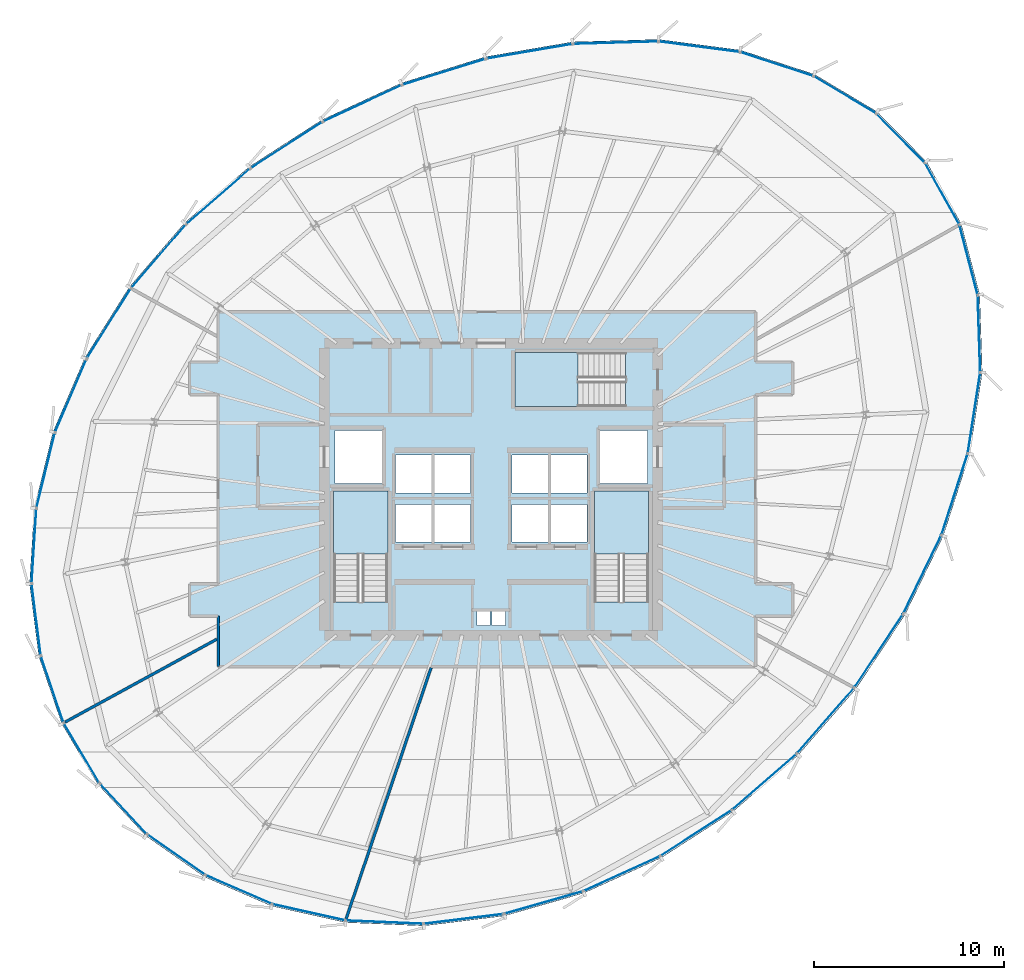
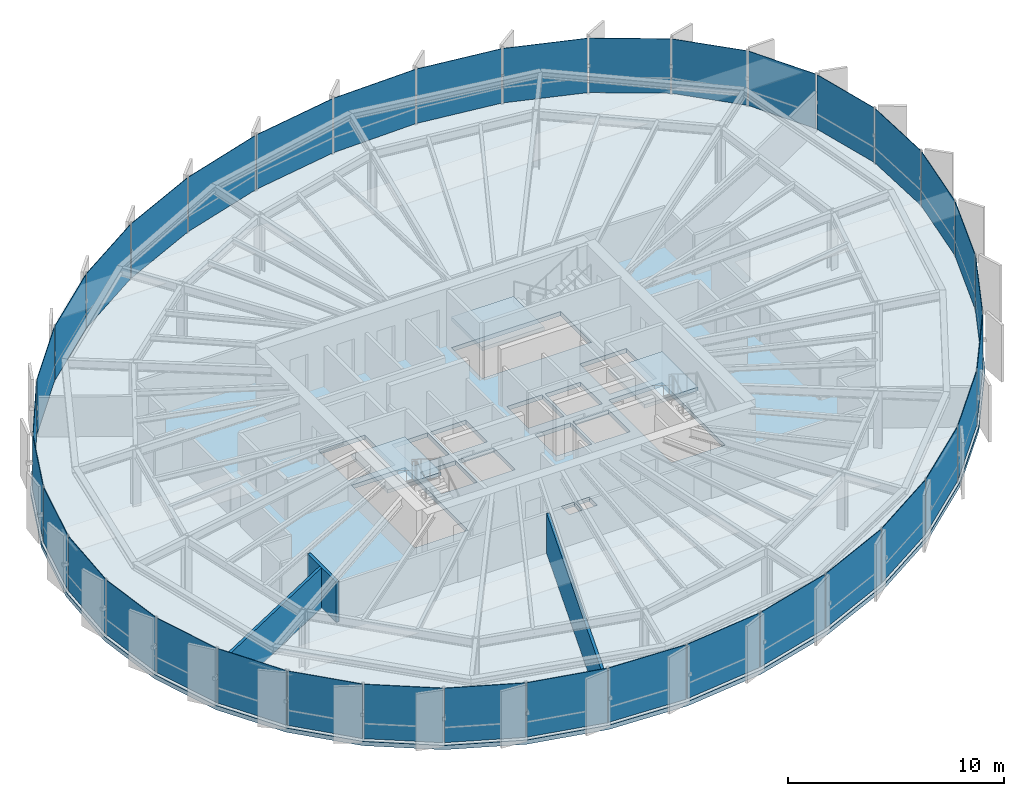
# One storey, part 28 of 34: 36 plates, 4 slabs, 3 walls, 9 elements without a shape of their own.
"""IFC4 building model written with IfcOpenShell, lengths in metres."""

from ifc_helpers import new_model, si_unit, direction, frame, frame_2d, origin, origin_2d, place, context, subcontext, project, spatial, polyline, rectangle, outline, extrude, source, transform, mapped, material, layer, layer_set, type_object, element, aggregate, save


model = new_model("IFC4")

# Units and contexts
model_context = context("Model", 3, precision=1e-05, world=origin(), true_north=direction((0.0, 1.0)))
body_context = subcontext(model_context, "Body", "Model", "MODEL_VIEW")
ifc_project = project(units=[si_unit("LENGTHUNIT", "METRE"), si_unit("AREAUNIT", "SQUARE_METRE"), si_unit("VOLUMEUNIT", "CUBIC_METRE"), si_unit("PLANEANGLEUNIT", "RADIAN"), si_unit("MASSUNIT", "GRAM", prefix="KILO"), si_unit("THERMODYNAMICTEMPERATUREUNIT", "KELVIN")], contexts=[model_context])

# Site, building, storey
site_placement = place(None, origin())
site = spatial("IfcSite", under=ifc_project, at=site_placement, CompositionType="ELEMENT")
building_placement = place(site_placement, origin())
building = spatial("IfcBuilding", under=site, at=building_placement, Name="Kethvar Cultural Tower", CompositionType="ELEMENT")
storey_placement = place(building_placement, frame((0.0, 0.0, 183.39990234375)))
storey = spatial("IfcBuildingStorey", under=building, at=storey_placement, Name="L47", CompositionType="ELEMENT", Elevation=183.39990234375)

# Stair, slab
ifc_material_1 = material(Name="Concrete C40/50", Category="concrete")
stair_type = type_object("IfcStairType", Name="ST-DOGLEG-135", PredefinedType="HALF_TURN_STAIR", material=ifc_material_1)
stair_1_placement = place(storey_placement, origin())
stair_1 = element("IfcStair", 1, at=stair_1_placement, inside=storey, type_object=stair_type, Name="L47 Core Exit Stair 1", PredefinedType="HALF_TURN_STAIR")
ifc_layer_1 = layer(ifc_material_1, 0.199951171875, Name="Concrete C40/50", Category="concrete")
ifc_layer_set_1 = layer_set([ifc_layer_1], Name="Concrete C40/50 (200 mm)")
slab_type_1 = type_object("IfcSlabType", Name="SL-STAIR-LANDING-200", PredefinedType="LANDING", material=ifc_layer_set_1)
slab_1_placement = place(storey_placement, frame((0.0, 0.0, 1.550048828125)))
slab_1 = element("IfcSlab", 2, at=slab_1_placement, type_object=slab_type_1, Name="ST-01 landing 1", PredefinedType="LANDING", context=body_context, shape_type="SweptSolid", body=[
    extrude(outline(polyline([(41.35009765625, 24.3701171875), (41.35009765625, 27.699951171875), (38.489990234375, 27.699951171875), (38.489990234375, 24.3701171875), (41.35009765625, 24.3701171875)])), origin(), (0.0, 0.0, 1.0), 0.199951171875),
])
aggregate(stair_1, [slab_1])

stair_2_placement = place(storey_placement, origin())
stair_2 = element("IfcStair", 3, at=stair_2_placement, inside=storey, type_object=stair_type, Name="L47 Core Exit Stair 2", PredefinedType="HALF_TURN_STAIR")
slab_2_placement = place(storey_placement, frame((0.0, 0.0, 1.550048828125)))
slab_2 = element("IfcSlab", 4, at=slab_2_placement, type_object=slab_type_1, Name="ST-02 landing 1", PredefinedType="LANDING", context=body_context, shape_type="SweptSolid", body=[
    extrude(outline(polyline([(55.110107421875, 24.3701171875), (55.110107421875, 27.699951171875), (52.25, 27.699951171875), (52.25, 24.3701171875), (55.110107421875, 24.3701171875)])), origin(), (0.0, 0.0, 1.0), 0.199951171875),
])
aggregate(stair_2, [slab_2])

stair_3_placement = place(storey_placement, origin())
stair_3 = element("IfcStair", 5, at=stair_3_placement, inside=storey, type_object=stair_type, Name="L47 Core Exit Stair 3", PredefinedType="HALF_TURN_STAIR")
slab_3_placement = place(storey_placement, frame((0.0, 0.0, 1.550048828125)))
slab_3 = element("IfcSlab", 6, at=slab_3_placement, type_object=slab_type_1, Name="ST-03 landing 1", PredefinedType="LANDING", context=body_context, shape_type="SweptSolid", body=[
    extrude(outline(polyline([(51.3798828125, 35.010009765625), (48.050048828125, 35.010009765625), (48.050048828125, 32.14990234375), (51.3798828125, 32.14990234375), (51.3798828125, 35.010009765625)])), origin(), (0.0, 0.0, 1.0), 0.199951171875),
])
aggregate(stair_3, [slab_3])

# Slab
ifc_layer_2 = layer(ifc_material_1, 0.239990234375, Name="Concrete C40/50", Category="concrete")
ifc_layer_set_2 = layer_set([ifc_layer_2], Name="Concrete C40/50 (240 mm)")
slab_type_2 = type_object("IfcSlabType", Name="SL-TOW-240", PredefinedType="FLOOR", material=ifc_layer_set_2)
slab_4_placement = place(storey_placement, frame((0.0, 0.0, -0.239990234375)))
element("IfcSlab", 7, at=slab_4_placement, inside=storey, type_object=slab_type_2, Name="L47 Structural Floor Slab", PredefinedType="FLOOR", context=body_context, shape_type="SweptSolid", body=[
    extrude(outline(polyline([(69.792724609375, 45.0634765625), (67.17529296875, 47.718017578125), (63.849853515625, 49.70068359375), (59.948974609375, 50.974853515625), (55.63720703125, 51.5361328125), (51.096435546875, 51.406005859375), (46.510009765625, 50.622314453125), (42.047607421875, 49.231689453125), (37.85205078125, 47.281982421875), (34.02587890625, 44.8134765625), (30.6162109375, 41.84912109375), (27.6982421875, 38.4580078125), (25.360595703125, 34.742919921875), (23.67431640625, 30.81689453125), (22.69091796875, 26.79931640625), (22.439697265625, 22.81201171875), (22.928955078125, 18.976318359375), (24.143310546875, 15.40869140625), (26.04638671875, 12.2177734375), (28.579833984375, 9.5), (31.666748046875, 7.33837890625), (35.2138671875, 5.798583984375), (39.11279296875, 4.92724609375), (43.2451171875, 4.7509765625), (47.48583984375, 5.27490234375), (51.705322265625, 6.483154296875), (55.776123046875, 8.33935546875), (59.573974609375, 10.78662109375), (63.011962890625, 13.772216796875), (66.054931640625, 17.257080078125), (68.63525390625, 21.154296875), (70.66748046875, 25.340087890625), (72.059326171875, 29.664306640625), (72.72314453125, 33.96142578125), (72.587646484375, 38.062744140625), (71.611572265625, 41.809326171875), (69.792724609375, 45.0634765625)]), holes=[polyline([(38.489990234375, 21.85009765625), (38.489990234375, 27.699951171875), (41.35009765625, 27.699951171875), (41.35009765625, 21.85009765625), (38.489990234375, 21.85009765625)]), polyline([(52.25, 21.85009765625), (52.25, 27.699951171875), (55.110107421875, 27.699951171875), (55.110107421875, 21.85009765625), (52.25, 21.85009765625)]), polyline([(53.89990234375, 32.14990234375), (48.050048828125, 32.14990234375), (48.050048828125, 35.010009765625), (53.89990234375, 35.010009765625), (53.89990234375, 32.14990234375)]), polyline([(41.75, 27.0), (43.64990234375, 27.0), (43.64990234375, 25.0), (41.75, 25.0), (41.75, 27.0)]), polyline([(43.800048828125, 27.0), (45.699951171875, 27.0), (45.699951171875, 25.0), (43.800048828125, 25.0), (43.800048828125, 27.0)]), polyline([(47.89990234375, 27.0), (49.800048828125, 27.0), (49.800048828125, 25.0), (47.89990234375, 25.0), (47.89990234375, 27.0)]), polyline([(49.949951171875, 27.0), (51.85009765625, 27.0), (51.85009765625, 25.0), (49.949951171875, 25.0), (49.949951171875, 27.0)]), polyline([(41.75, 29.60009765625), (43.64990234375, 29.60009765625), (43.64990234375, 27.60009765625), (41.75, 27.60009765625), (41.75, 29.60009765625)]), polyline([(43.800048828125, 29.60009765625), (45.699951171875, 29.60009765625), (45.699951171875, 27.60009765625), (43.800048828125, 27.60009765625), (43.800048828125, 29.60009765625)]), polyline([(47.89990234375, 29.60009765625), (49.800048828125, 29.60009765625), (49.800048828125, 27.60009765625), (47.89990234375, 27.60009765625), (47.89990234375, 29.60009765625)]), polyline([(49.949951171875, 29.60009765625), (51.85009765625, 29.60009765625), (51.85009765625, 27.60009765625), (49.949951171875, 27.60009765625), (49.949951171875, 29.60009765625)]), polyline([(38.550048828125, 30.89990234375), (41.050048828125, 30.89990234375), (41.050048828125, 28.10009765625), (38.550048828125, 28.10009765625), (38.550048828125, 30.89990234375)]), polyline([(52.550048828125, 30.89990234375), (55.050048828125, 30.89990234375), (55.050048828125, 28.10009765625), (52.550048828125, 28.10009765625), (52.550048828125, 30.89990234375)]), polyline([(46.050048828125, 21.35009765625), (46.75, 21.35009765625), (46.75, 20.60009765625), (46.050048828125, 20.60009765625), (46.050048828125, 21.35009765625)]), polyline([(46.85009765625, 21.35009765625), (47.550048828125, 21.35009765625), (47.550048828125, 20.60009765625), (46.85009765625, 20.60009765625), (46.85009765625, 21.35009765625)])]), origin(), (0.0, 0.0, 1.0), 0.239990234375),
])

# Curtain wall, plate
ifc_material_2 = material(Name="Aluminium 6063-T6", Category="aluminium")
ifc_layer_3 = layer(ifc_material_2, 0.179931640625, Name="Aluminium 6063-T6", Category="aluminium")
ifc_layer_set_3 = layer_set([ifc_layer_3], Name="Aluminium 6063-T6 (180 mm)")
curtain_wall_type = type_object("IfcCurtainWallType", Name="CW-SYS-04-Z34", PredefinedType="NOTDEFINED", material=ifc_layer_set_3)
curtain_wall_1_placement = place(storey_placement, origin())
curtain_wall_1 = element("IfcCurtainWall", 8, at=curtain_wall_1_placement, inside=storey, type_object=curtain_wall_type, Name="L47 Curtain Wall Run 01", PredefinedType="NOTDEFINED")
ifc_material_3 = material(Name="Insulated Low-E Solar Glass", Category="glass")
ifc_layer_4 = layer(ifc_material_3, 0.030029296875, Name="Insulated Low-E Solar Glass", Category="glass")
ifc_layer_set_4 = layer_set([ifc_layer_4], Name="Insulated Low-E Solar Glass (30 mm)")
plate_type = type_object("IfcPlateType", Name="CW-SYS-04-Z34-PNL", PredefinedType="CURTAIN_PANEL", material=ifc_layer_set_4)
shared_shape_1 = source(origin(), body_context, "Body", "SweptSolid", [
    extrude(rectangle(XDim=3.6416015625, YDim=0.030029296875, at=origin_2d()), origin(), (0.0, 0.0, 1.0), 3.080078125),
])
plate_1_placement = place(storey_placement, frame((68.40576171875, 46.3134765625, 0.090087890625), z_axis=(0.0, 0.0, 1.0), x_axis=(-0.70212819817, 0.712050555322, 0.0)))
plate_1 = element("IfcPlate", 9, at=plate_1_placement, type_object=plate_type, Name="CW-L47-R01 Vision Glazing Panel 1", PredefinedType="CURTAIN_PANEL", context=body_context, shape_type="MappedRepresentation", body=[
    mapped(shared_shape_1, transform((0.0, 0.0, 0.0), scale=1.0)),
])

curtain_wall_2_placement = place(storey_placement, origin())
curtain_wall_2 = element("IfcCurtainWall", 10, at=curtain_wall_2_placement, inside=storey, type_object=curtain_wall_type, Name="L47 Curtain Wall Run 06", PredefinedType="NOTDEFINED")
plate_2_placement = place(storey_placement, frame((70.606201171875, 43.3828125, 0.090087890625), z_axis=(0.0, 0.0, 1.0), x_axis=(-0.487874894429, 0.87291356238, 0.0)))
plate_2 = element("IfcPlate", 11, at=plate_2_placement, type_object=plate_type, Name="CW-L47-R06 Vision Glazing Panel 6", PredefinedType="CURTAIN_PANEL", context=body_context, shape_type="MappedRepresentation", body=[
    mapped(shared_shape_1, transform((0.0, 0.0, 0.0), scale=1.0)),
])

# Plate
shared_shape_2 = source(origin(), body_context, "Body", "SweptSolid", [
    extrude(rectangle(XDim=3.785400390625, YDim=0.030029296875, at=origin_2d()), origin(), (0.0, 0.0, 1.0), 3.080078125),
])
plate_3_placement = place(storey_placement, frame((65.456298828125, 48.61474609375, 0.090087890625), z_axis=(0.0, 0.0, 1.0), x_axis=(-0.858933085252, 0.512087839204, 0.0)))
plate_3 = element("IfcPlate", 12, at=plate_3_placement, type_object=plate_type, Name="CW-L47-R01 Vision Glazing Panel 2", PredefinedType="CURTAIN_PANEL", context=body_context, shape_type="MappedRepresentation", body=[
    mapped(shared_shape_2, transform((0.0, 0.0, 0.0), scale=1.0)),
])

plate_4_placement = place(storey_placement, frame((71.9931640625, 39.908203125, 0.090087890625), z_axis=(0.0, 0.0, 1.0), x_axis=(-0.252120027031, 0.967695970835, 0.0)))
plate_4 = element("IfcPlate", 13, at=plate_4_placement, type_object=plate_type, Name="CW-L47-R06 Vision Glazing Panel 5", PredefinedType="CURTAIN_PANEL", context=body_context, shape_type="MappedRepresentation", body=[
    mapped(shared_shape_2, transform((0.0, 0.0, 0.0), scale=1.0)),
])

shared_shape_3 = source(origin(), body_context, "Body", "SweptSolid", [
    extrude(rectangle(XDim=4.01708984375, YDim=0.030029296875, at=origin_2d()), origin(), (0.0, 0.0, 1.0), 3.080078125),
])
plate_5_placement = place(storey_placement, frame((61.865234375, 50.233154296875, 0.090087890625), z_axis=(0.0, 0.0, 1.0), x_axis=(-0.950569940416, 0.310510528609, 0.0)))
plate_5 = element("IfcPlate", 14, at=plate_5_placement, type_object=plate_type, Name="CW-L47-R01 Vision Glazing Panel 3", PredefinedType="CURTAIN_PANEL", context=body_context, shape_type="MappedRepresentation", body=[
    mapped(shared_shape_3, transform((0.0, 0.0, 0.0), scale=1.0)),
])

plate_6_placement = place(storey_placement, frame((72.54541015625, 36.00830078125, 0.090087890625), z_axis=(0.0, 0.0, 1.0), x_axis=(-0.032998184707, 0.999455411615, 0.0)))
plate_6 = element("IfcPlate", 15, at=plate_6_placement, type_object=plate_type, Name="CW-L47-R06 Vision Glazing Panel 4", PredefinedType="CURTAIN_PANEL", context=body_context, shape_type="MappedRepresentation", body=[
    mapped(shared_shape_3, transform((0.0, 0.0, 0.0), scale=1.0)),
])

shared_shape_4 = source(origin(), body_context, "Body", "SweptSolid", [
    extrude(rectangle(XDim=4.26171875, YDim=0.030029296875, at=origin_2d()), origin(), (0.0, 0.0, 1.0), 3.080078125),
])
plate_7_placement = place(storey_placement, frame((57.779052734375, 51.146484375, 0.090087890625), z_axis=(0.0, 0.0, 1.0), x_axis=(-0.991630651117, 0.1291071329, 0.0)))
plate_7 = element("IfcPlate", 16, at=plate_7_placement, type_object=plate_type, Name="CW-L47-R01 Vision Glazing Panel 4", PredefinedType="CURTAIN_PANEL", context=body_context, shape_type="MappedRepresentation", body=[
    mapped(shared_shape_4, transform((0.0, 0.0, 0.0), scale=1.0)),
])

plate_8_placement = place(storey_placement, frame((72.282470703125, 31.82958984375, 0.090087890625), z_axis=(0.0, 0.0, 1.0), x_axis=(0.152658118937, 0.988279059134, 0.0)))
plate_8 = element("IfcPlate", 17, at=plate_8_placement, type_object=plate_type, Name="CW-L47-R06 Vision Glazing Panel 3", PredefinedType="CURTAIN_PANEL", context=body_context, shape_type="MappedRepresentation", body=[
    mapped(shared_shape_4, transform((0.0, 0.0, 0.0), scale=1.0)),
])

shared_shape_5 = source(origin(), body_context, "Body", "SweptSolid", [
    extrude(rectangle(XDim=4.456298828125, YDim=0.030029296875, at=origin_2d()), origin(), (0.0, 0.0, 1.0), 3.080078125),
])
plate_9_placement = place(storey_placement, frame((53.3701171875, 51.361083984375, 0.090087890625), z_axis=(0.0, 0.0, 1.0), x_axis=(-0.999589378844, -0.028654383641, 0.0)))
plate_9 = element("IfcPlate", 18, at=plate_9_placement, type_object=plate_type, Name="CW-L47-R01 Vision Glazing Panel 5", PredefinedType="CURTAIN_PANEL", context=body_context, shape_type="MappedRepresentation", body=[
    mapped(shared_shape_5, transform((0.0, 0.0, 0.0), scale=1.0)),
])

plate_10_placement = place(storey_placement, frame((71.2587890625, 27.535888671875, 0.090087890625), z_axis=(0.0, 0.0, 1.0), x_axis=(0.306409783897, 0.951899702874, 0.0)))
plate_10 = element("IfcPlate", 19, at=plate_10_placement, type_object=plate_type, Name="CW-L47-R06 Vision Glazing Panel 2", PredefinedType="CURTAIN_PANEL", context=body_context, shape_type="MappedRepresentation", body=[
    mapped(shared_shape_5, transform((0.0, 0.0, 0.0), scale=1.0)),
])

shared_shape_6 = source(origin(), body_context, "Body", "SweptSolid", [
    extrude(rectangle(XDim=4.56640625, YDim=0.030029296875, at=origin_2d()), origin(), (0.0, 0.0, 1.0), 3.080078125),
])
plate_11_placement = place(storey_placement, frame((48.82177734375, 50.90576171875, 0.090087890625), z_axis=(0.0, 0.0, 1.0), x_axis=(-0.985715229464, -0.168420564071, 0.0)))
plate_11 = element("IfcPlate", 20, at=plate_11_placement, type_object=plate_type, Name="CW-L47-R01 Vision Glazing Panel 6", PredefinedType="CURTAIN_PANEL", context=body_context, shape_type="MappedRepresentation", body=[
    mapped(shared_shape_6, transform((0.0, 0.0, 0.0), scale=1.0)),
])

aggregate(curtain_wall_1, [plate_1, plate_3, plate_5, plate_7, plate_9, plate_11])

plate_12_placement = place(storey_placement, frame((69.552490234375, 23.295166015625, 0.090087890625), z_axis=(0.0, 0.0, 1.0), x_axis=(0.436738986323, 0.899588271281, 0.0)))
plate_12 = element("IfcPlate", 21, at=plate_12_placement, type_object=plate_type, Name="CW-L47-R06 Vision Glazing Panel 1", PredefinedType="CURTAIN_PANEL", context=body_context, shape_type="MappedRepresentation", body=[
    mapped(shared_shape_6, transform((0.0, 0.0, 0.0), scale=1.0)),
])

aggregate(curtain_wall_2, [plate_12, plate_10, plate_8, plate_6, plate_4, plate_2])

# Curtain wall, plate
curtain_wall_3_placement = place(storey_placement, origin())
curtain_wall_3 = element("IfcCurtainWall", 22, at=curtain_wall_3_placement, inside=storey, type_object=curtain_wall_type, Name="L47 Curtain Wall Run 02", PredefinedType="NOTDEFINED")
shared_shape_7 = source(origin(), body_context, "Body", "SweptSolid", [
    extrude(rectangle(XDim=4.587646484375, YDim=0.030029296875, at=origin_2d()), origin(), (0.0, 0.0, 1.0), 3.080078125),
])
plate_13_placement = place(storey_placement, frame((44.311767578125, 49.822021484375, 0.090087890625), z_axis=(0.0, 0.0, 1.0), x_axis=(-0.954719268831, -0.297508180935, 0.0)))
plate_13 = element("IfcPlate", 23, at=plate_13_placement, type_object=plate_type, Name="CW-L47-R02 Vision Glazing Panel 1", PredefinedType="CURTAIN_PANEL", context=body_context, shape_type="MappedRepresentation", body=[
    mapped(shared_shape_7, transform((0.0, 0.0, 0.0), scale=1.0)),
])

curtain_wall_4_placement = place(storey_placement, origin())
curtain_wall_4 = element("IfcCurtainWall", 24, at=curtain_wall_4_placement, inside=storey, type_object=curtain_wall_type, Name="L47 Curtain Wall Run 05", PredefinedType="NOTDEFINED")
plate_14_placement = place(storey_placement, frame((67.25341796875, 19.266357421875, 0.090087890625), z_axis=(0.0, 0.0, 1.0), x_axis=(0.552053412357, 0.833808748998, 0.0)))
plate_14 = element("IfcPlate", 25, at=plate_14_placement, type_object=plate_type, Name="CW-L47-R05 Vision Glazing Panel 6", PredefinedType="CURTAIN_PANEL", context=body_context, shape_type="MappedRepresentation", body=[
    mapped(shared_shape_7, transform((0.0, 0.0, 0.0), scale=1.0)),
])

# Plate
shared_shape_8 = source(origin(), body_context, "Body", "SweptSolid", [
    extrude(rectangle(XDim=4.540283203125, YDim=0.030029296875, at=origin_2d()), origin(), (0.0, 0.0, 1.0), 3.080078125),
])
plate_15_placement = place(storey_placement, frame((39.99609375, 48.156982421875, 0.090087890625), z_axis=(0.0, 0.0, 1.0), x_axis=(-0.906852860917, -0.42144737352, 0.0)))
plate_15 = element("IfcPlate", 26, at=plate_15_placement, type_object=plate_type, Name="CW-L47-R02 Vision Glazing Panel 2", PredefinedType="CURTAIN_PANEL", context=body_context, shape_type="MappedRepresentation", body=[
    mapped(shared_shape_8, transform((0.0, 0.0, 0.0), scale=1.0)),
])

plate_16_placement = place(storey_placement, frame((64.45068359375, 15.5869140625, 0.090087890625), z_axis=(0.0, 0.0, 1.0), x_axis=(0.657730281173, 0.753253527856, 0.0)))
plate_16 = element("IfcPlate", 27, at=plate_16_placement, type_object=plate_type, Name="CW-L47-R05 Vision Glazing Panel 5", PredefinedType="CURTAIN_PANEL", context=body_context, shape_type="MappedRepresentation", body=[
    mapped(shared_shape_8, transform((0.0, 0.0, 0.0), scale=1.0)),
])

shared_shape_9 = source(origin(), body_context, "Body", "SweptSolid", [
    extrude(rectangle(XDim=4.466796875, YDim=0.030029296875, at=origin_2d()), origin(), (0.0, 0.0, 1.0), 3.080078125),
])
plate_17_placement = place(storey_placement, frame((35.99853515625, 45.955078125, 0.090087890625), z_axis=(0.0, 0.0, 1.0), x_axis=(-0.84028285053, -0.542148255651, 0.0)))
plate_17 = element("IfcPlate", 28, at=plate_17_placement, type_object=plate_type, Name="CW-L47-R02 Vision Glazing Panel 3", PredefinedType="CURTAIN_PANEL", context=body_context, shape_type="MappedRepresentation", body=[
    mapped(shared_shape_9, transform((0.0, 0.0, 0.0), scale=1.0)),
])

plate_18_placement = place(storey_placement, frame((61.220703125, 12.3623046875, 0.090087890625), z_axis=(0.0, 0.0, 1.0), x_axis=(0.755041544851, 0.655676952126, 0.0)))
plate_18 = element("IfcPlate", 29, at=plate_18_placement, type_object=plate_type, Name="CW-L47-R05 Vision Glazing Panel 4", PredefinedType="CURTAIN_PANEL", context=body_context, shape_type="MappedRepresentation", body=[
    mapped(shared_shape_9, transform((0.0, 0.0, 0.0), scale=1.0)),
])

shared_shape_10 = source(origin(), body_context, "Body", "SweptSolid", [
    extrude(rectangle(XDim=4.431884765625, YDim=0.030029296875, at=origin_2d()), origin(), (0.0, 0.0, 1.0), 3.080078125),
])
plate_19_placement = place(storey_placement, frame((32.393310546875, 43.248291015625, 0.090087890625), z_axis=(0.0, 0.0, 1.0), x_axis=(-0.754686678983, -0.656085372925, 0.0)))
plate_19 = element("IfcPlate", 30, at=plate_19_placement, type_object=plate_type, Name="CW-L47-R02 Vision Glazing Panel 4", PredefinedType="CURTAIN_PANEL", context=body_context, shape_type="MappedRepresentation", body=[
    mapped(shared_shape_10, transform((0.0, 0.0, 0.0), scale=1.0)),
])

shared_shape_11 = source(origin(), body_context, "Body", "SweptSolid", [
    extrude(rectangle(XDim=4.387451171875, YDim=0.030029296875, at=origin_2d()), origin(), (0.0, 0.0, 1.0), 3.080078125),
])
plate_20_placement = place(storey_placement, frame((29.240478515625, 40.081787109375, 0.090087890625), z_axis=(0.0, 0.0, 1.0), x_axis=(-0.652243943155, -0.75800912832, 0.0)))
plate_20 = element("IfcPlate", 31, at=plate_20_placement, type_object=plate_type, Name="CW-L47-R02 Vision Glazing Panel 5", PredefinedType="CURTAIN_PANEL", context=body_context, shape_type="MappedRepresentation", body=[
    mapped(shared_shape_11, transform((0.0, 0.0, 0.0), scale=1.0)),
])

plate_21_placement = place(storey_placement, frame((53.695068359375, 7.511474609375, 0.090087890625), z_axis=(0.0, 0.0, 1.0), x_axis=(0.90988163872, 0.414867935035, 0.0)))
plate_21 = element("IfcPlate", 32, at=plate_21_placement, type_object=plate_type, Name="CW-L47-R05 Vision Glazing Panel 2", PredefinedType="CURTAIN_PANEL", context=body_context, shape_type="MappedRepresentation", body=[
    mapped(shared_shape_11, transform((0.0, 0.0, 0.0), scale=1.0)),
])

shared_shape_12 = source(origin(), body_context, "Body", "SweptSolid", [
    extrude(rectangle(XDim=4.302978515625, YDim=0.030029296875, at=origin_2d()), origin(), (0.0, 0.0, 1.0), 3.080078125),
])
plate_22_placement = place(storey_placement, frame((26.62255859375, 36.541748046875, 0.090087890625), z_axis=(0.0, 0.0, 1.0), x_axis=(-0.532580866475, -0.846379123481, 0.0)))
plate_22 = element("IfcPlate", 33, at=plate_22_placement, type_object=plate_type, Name="CW-L47-R02 Vision Glazing Panel 6", PredefinedType="CURTAIN_PANEL", context=body_context, shape_type="MappedRepresentation", body=[
    mapped(shared_shape_12, transform((0.0, 0.0, 0.0), scale=1.0)),
])

aggregate(curtain_wall_3, [plate_13, plate_15, plate_17, plate_19, plate_20, plate_22])

plate_23_placement = place(storey_placement, frame((49.565185546875, 5.98486328125, 0.090087890625), z_axis=(0.0, 0.0, 1.0), x_axis=(0.961353047892, 0.275318574218, 0.0)))
plate_23 = element("IfcPlate", 34, at=plate_23_placement, type_object=plate_type, Name="CW-L47-R05 Vision Glazing Panel 1", PredefinedType="CURTAIN_PANEL", context=body_context, shape_type="MappedRepresentation", body=[
    mapped(shared_shape_12, transform((0.0, 0.0, 0.0), scale=1.0)),
])

# Curtain wall, plate
curtain_wall_5_placement = place(storey_placement, origin())
curtain_wall_5 = element("IfcCurtainWall", 35, at=curtain_wall_5_placement, inside=storey, type_object=curtain_wall_type, Name="L47 Curtain Wall Run 03", PredefinedType="NOTDEFINED")
shared_shape_13 = source(origin(), body_context, "Body", "SweptSolid", [
    extrude(rectangle(XDim=4.186279296875, YDim=0.030029296875, at=origin_2d()), origin(), (0.0, 0.0, 1.0), 3.080078125),
])
plate_24_placement = place(storey_placement, frame((24.618408203125, 32.736328125, 0.090087890625), z_axis=(0.0, 0.0, 1.0), x_axis=(-0.394647638629, -0.918832542591, 0.0)))
plate_24 = element("IfcPlate", 36, at=plate_24_placement, type_object=plate_type, Name="CW-L47-R03 Vision Glazing Panel 1", PredefinedType="CURTAIN_PANEL", context=body_context, shape_type="MappedRepresentation", body=[
    mapped(shared_shape_13, transform((0.0, 0.0, 0.0), scale=1.0)),
])

curtain_wall_6_placement = place(storey_placement, origin())
curtain_wall_6 = element("IfcCurtainWall", 37, at=curtain_wall_6_placement, inside=storey, type_object=curtain_wall_type, Name="L47 Curtain Wall Run 04", PredefinedType="NOTDEFINED")
plate_25_placement = place(storey_placement, frame((45.35205078125, 5.1220703125, 0.090087890625), z_axis=(0.0, 0.0, 1.0), x_axis=(0.992454410214, 0.122614206542, 0.0)))
plate_25 = element("IfcPlate", 38, at=plate_25_placement, type_object=plate_type, Name="CW-L47-R04 Vision Glazing Panel 6", PredefinedType="CURTAIN_PANEL", context=body_context, shape_type="MappedRepresentation", body=[
    mapped(shared_shape_13, transform((0.0, 0.0, 0.0), scale=1.0)),
])

# Plate
shared_shape_14 = source(origin(), body_context, "Body", "SweptSolid", [
    extrude(rectangle(XDim=4.050048828125, YDim=0.030029296875, at=origin_2d()), origin(), (0.0, 0.0, 1.0), 3.080078125),
])
plate_26_placement = place(storey_placement, frame((23.289306640625, 28.781982421875, 0.090087890625), z_axis=(0.0, 0.0, 1.0), x_axis=(-0.237770657007, -0.971321324108, 0.0)))
plate_26 = element("IfcPlate", 39, at=plate_26_placement, type_object=plate_type, Name="CW-L47-R03 Vision Glazing Panel 2", PredefinedType="CURTAIN_PANEL", context=body_context, shape_type="MappedRepresentation", body=[
    mapped(shared_shape_14, transform((0.0, 0.0, 0.0), scale=1.0)),
])

shared_shape_15 = source(origin(), body_context, "Body", "SweptSolid", [
    extrude(rectangle(XDim=3.90869140625, YDim=0.030029296875, at=origin_2d()), origin(), (0.0, 0.0, 1.0), 3.080078125),
])
plate_27_placement = place(storey_placement, frame((22.675048828125, 24.798583984375, 0.090087890625), z_axis=(0.0, 0.0, 1.0), x_axis=(-0.062860194786, -0.998022342391, 0.0)))
plate_27 = element("IfcPlate", 40, at=plate_27_placement, type_object=plate_type, Name="CW-L47-R03 Vision Glazing Panel 3", PredefinedType="CURTAIN_PANEL", context=body_context, shape_type="MappedRepresentation", body=[
    mapped(shared_shape_15, transform((0.0, 0.0, 0.0), scale=1.0)),
])

plate_28_placement = place(storey_placement, frame((37.187255859375, 5.47021484375, 0.090087890625), z_axis=(0.0, 0.0, 1.0), x_axis=(0.975928182554, -0.218092142215, 0.0)))
plate_28 = element("IfcPlate", 41, at=plate_28_placement, type_object=plate_type, Name="CW-L47-R04 Vision Glazing Panel 4", PredefinedType="CURTAIN_PANEL", context=body_context, shape_type="MappedRepresentation", body=[
    mapped(shared_shape_15, transform((0.0, 0.0, 0.0), scale=1.0)),
])

shared_shape_16 = source(origin(), body_context, "Body", "SweptSolid", [
    extrude(rectangle(XDim=3.780517578125, YDim=0.030029296875, at=origin_2d()), origin(), (0.0, 0.0, 1.0), 3.080078125),
])
plate_29_placement = place(storey_placement, frame((22.79345703125, 20.908203125, 0.090087890625), z_axis=(0.0, 0.0, 1.0), x_axis=(0.126510610449, -0.991965254151, 0.0)))
plate_29 = element("IfcPlate", 42, at=plate_29_placement, type_object=plate_type, Name="CW-L47-R03 Vision Glazing Panel 4", PredefinedType="CURTAIN_PANEL", context=body_context, shape_type="MappedRepresentation", body=[
    mapped(shared_shape_16, transform((0.0, 0.0, 0.0), scale=1.0)),
])

plate_30_placement = place(storey_placement, frame((33.484130859375, 6.66943359375, 0.090087890625), z_axis=(0.0, 0.0, 1.0), x_axis=(0.917282634838, -0.398236823794, 0.0)))
plate_30 = element("IfcPlate", 43, at=plate_30_placement, type_object=plate_type, Name="CW-L47-R04 Vision Glazing Panel 3", PredefinedType="CURTAIN_PANEL", context=body_context, shape_type="MappedRepresentation", body=[
    mapped(shared_shape_16, transform((0.0, 0.0, 0.0), scale=1.0)),
])

shared_shape_17 = source(origin(), body_context, "Body", "SweptSolid", [
    extrude(rectangle(XDim=3.682373046875, YDim=0.030029296875, at=origin_2d()), origin(), (0.0, 0.0, 1.0), 3.080078125),
])
plate_31_placement = place(storey_placement, frame((23.640380859375, 17.227783203125, 0.090087890625), z_axis=(0.0, 0.0, 1.0), x_axis=(0.322265695231, -0.946649260116, 0.0)))
plate_31 = element("IfcPlate", 44, at=plate_31_placement, type_object=plate_type, Name="CW-L47-R03 Vision Glazing Panel 5", PredefinedType="CURTAIN_PANEL", context=body_context, shape_type="MappedRepresentation", body=[
    mapped(shared_shape_17, transform((0.0, 0.0, 0.0), scale=1.0)),
])

shared_shape_18 = source(origin(), body_context, "Body", "SweptSolid", [
    extrude(rectangle(XDim=3.62890625, YDim=0.030029296875, at=origin_2d()), origin(), (0.0, 0.0, 1.0), 3.080078125),
])
plate_32_placement = place(storey_placement, frame((25.189453125, 13.869384765625, 0.090087890625), z_axis=(0.0, 0.0, 1.0), x_axis=(0.512177783658, -0.858879454829, 0.0)))
plate_32 = element("IfcPlate", 45, at=plate_32_placement, type_object=plate_type, Name="CW-L47-R03 Vision Glazing Panel 6", PredefinedType="CURTAIN_PANEL", context=body_context, shape_type="MappedRepresentation", body=[
    mapped(shared_shape_18, transform((0.0, 0.0, 0.0), scale=1.0)),
])

aggregate(curtain_wall_5, [plate_24, plate_26, plate_27, plate_29, plate_31, plate_32])

plate_33_placement = place(storey_placement, frame((27.3935546875, 10.933837890625, 0.090087890625), z_axis=(0.0, 0.0, 1.0), x_axis=(0.681896237174, -0.731448919425, 0.0)))
plate_33 = element("IfcPlate", 46, at=plate_33_placement, type_object=plate_type, Name="CW-L47-R04 Vision Glazing Panel 1", PredefinedType="CURTAIN_PANEL", context=body_context, shape_type="MappedRepresentation", body=[
    mapped(shared_shape_18, transform((0.0, 0.0, 0.0), scale=1.0)),
])

shared_shape_19 = source(origin(), body_context, "Body", "SweptSolid", [
    extrude(rectangle(XDim=3.68212890625, YDim=0.030029296875, at=origin_2d()), origin(), (0.0, 0.0, 1.0), 3.080078125),
])
plate_34_placement = place(storey_placement, frame((30.186279296875, 8.509521484375, 0.090087890625), z_axis=(0.0, 0.0, 1.0), x_axis=(0.819142033367, -0.573590733164, 0.0)))
plate_34 = element("IfcPlate", 47, at=plate_34_placement, type_object=plate_type, Name="CW-L47-R04 Vision Glazing Panel 2", PredefinedType="CURTAIN_PANEL", context=body_context, shape_type="MappedRepresentation", body=[
    mapped(shared_shape_19, transform((0.0, 0.0, 0.0), scale=1.0)),
])

shared_shape_20 = source(origin(), body_context, "Body", "SweptSolid", [
    extrude(rectangle(XDim=4.0498046875, YDim=0.030029296875, at=origin_2d()), origin(), (0.0, 0.0, 1.0), 3.080078125),
])
plate_35_placement = place(storey_placement, frame((41.18359375, 4.948974609375, 0.090087890625), z_axis=(0.0, 0.0, 1.0), x_axis=(0.999090377298, -0.042642912559, 0.0)))
plate_35 = element("IfcPlate", 48, at=plate_35_placement, type_object=plate_type, Name="CW-L47-R04 Vision Glazing Panel 5", PredefinedType="CURTAIN_PANEL", context=body_context, shape_type="MappedRepresentation", body=[
    mapped(shared_shape_20, transform((0.0, 0.0, 0.0), scale=1.0)),
])

aggregate(curtain_wall_6, [plate_33, plate_34, plate_30, plate_28, plate_35, plate_25])

shared_shape_21 = source(origin(), body_context, "Body", "SweptSolid", [
    extrude(rectangle(XDim=4.431640625, YDim=0.030029296875, at=origin_2d()), origin(), (0.0, 0.0, 1.0), 3.080078125),
])
plate_36_placement = place(storey_placement, frame((57.615478515625, 9.655517578125, 0.090087890625), z_axis=(0.0, 0.0, 1.0), x_axis=(0.840594966119, 0.541664197576, 0.0)))
plate_36 = element("IfcPlate", 49, at=plate_36_placement, type_object=plate_type, Name="CW-L47-R05 Vision Glazing Panel 3", PredefinedType="CURTAIN_PANEL", context=body_context, shape_type="MappedRepresentation", body=[
    mapped(shared_shape_21, transform((0.0, 0.0, 0.0), scale=1.0)),
])

aggregate(curtain_wall_4, [plate_23, plate_21, plate_36, plate_18, plate_16, plate_14])

# Walls
ifc_material_4 = material(Name="Gypsum Fireboard Partition")
ifc_layer_5 = layer(ifc_material_4, 0.14990234375, Name="Gypsum Fireboard Partition")
ifc_layer_set_5 = layer_set([ifc_layer_5], Name="Gypsum Fireboard Partition (150 mm)")
wall_type_1 = type_object("IfcWallType", Name="WL-FIRE-150", PredefinedType="PARTITIONING", material=ifc_layer_set_5)
wall_1_placement = place(storey_placement, frame((32.39990234375, 21.10009765625, 0.0), z_axis=(0.0, 0.0, 1.0), x_axis=(0.0, -1.0, 0.0)))
element("IfcWall", 50, at=wall_1_placement, inside=storey, type_object=wall_type_1, Name="L47 Corridor Rated Wall W1", PredefinedType="PARTITIONING", context=body_context, shape_type="SweptSolid", body=[
    extrude(rectangle(XDim=2.650146484375, YDim=0.14990234375, at=frame_2d((1.3251953125, 0.0))), origin(), (0.0, 0.0, 1.0), 2.280029296875),
])
ifc_material_5 = material(Name="Gypsum Acoustic Partition")
ifc_layer_6 = layer(ifc_material_5, 0.14990234375, Name="Gypsum Acoustic Partition")
ifc_layer_set_6 = layer_set([ifc_layer_6], Name="Gypsum Acoustic Partition (150 mm)")
wall_type_2 = type_object("IfcWallType", Name="WL-PART-150", PredefinedType="PARTITIONING", material=ifc_layer_set_6)
wall_2_placement = place(storey_placement, frame((32.329833984375, 19.885986328125, 0.0), z_axis=(0.0, 0.0, 1.0), x_axis=(-0.877565973966, -0.479455901348, 0.0)))
element("IfcWall", 51, at=wall_2_placement, inside=storey, type_object=wall_type_2, Name="L47 Radial Partition Wall 01", PredefinedType="PARTITIONING", context=body_context, shape_type="SweptSolid", body=[
    extrude(rectangle(XDim=9.120849609375, YDim=0.14990234375, at=frame_2d((4.560546875, 0.0))), origin(), (0.0, 0.0, 1.0), 2.280029296875),
])
wall_3_placement = place(storey_placement, frame((43.6318359375, 18.374267578125, 0.0), z_axis=(0.0, 0.0, 1.0), x_axis=(-0.320619796855, -0.947207973924, 0.0)))
element("IfcWall", 52, at=wall_3_placement, inside=storey, type_object=wall_type_2, Name="L47 Radial Partition Wall 02", PredefinedType="PARTITIONING", context=body_context, shape_type="SweptSolid", body=[
    extrude(rectangle(XDim=13.98046875, YDim=0.14990234375, at=frame_2d((6.990234375, 0.0))), origin(), (0.0, 0.0, 1.0), 2.280029296875),
])

save(model, "model.ifc")
